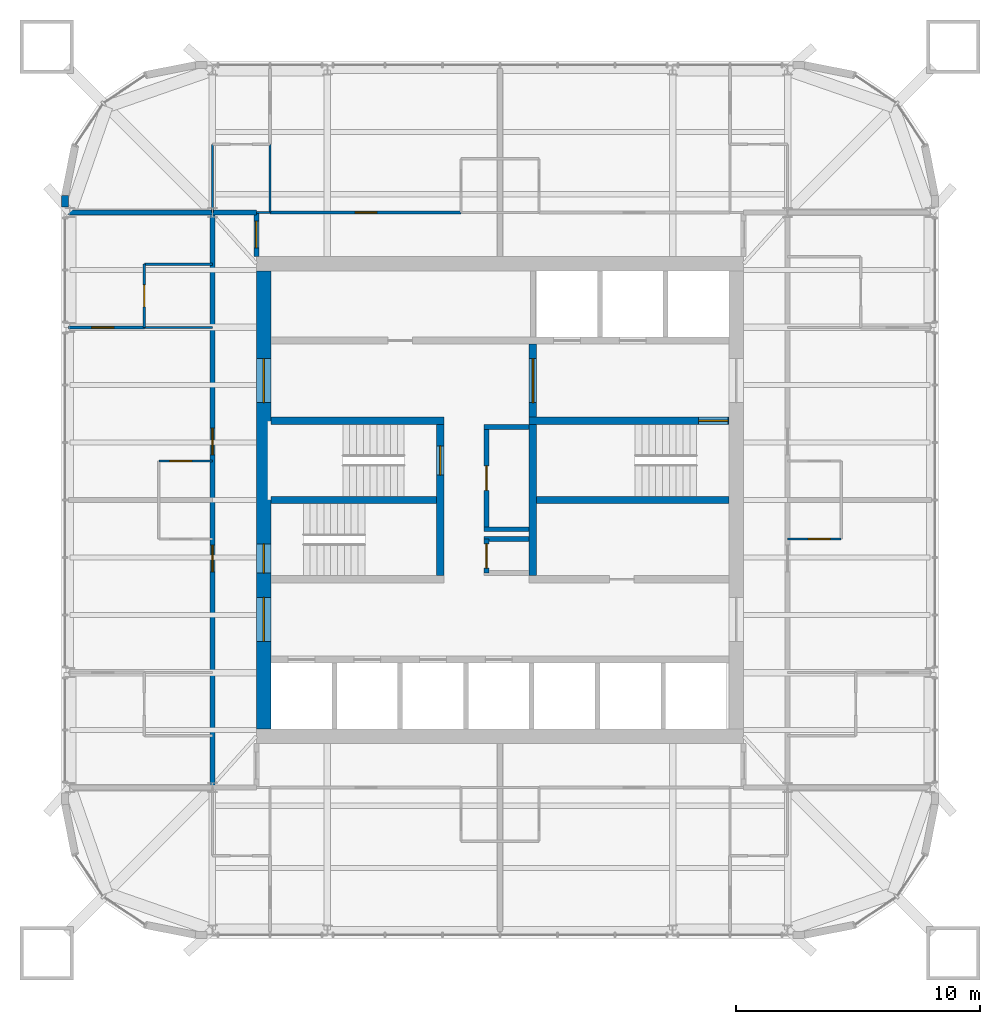
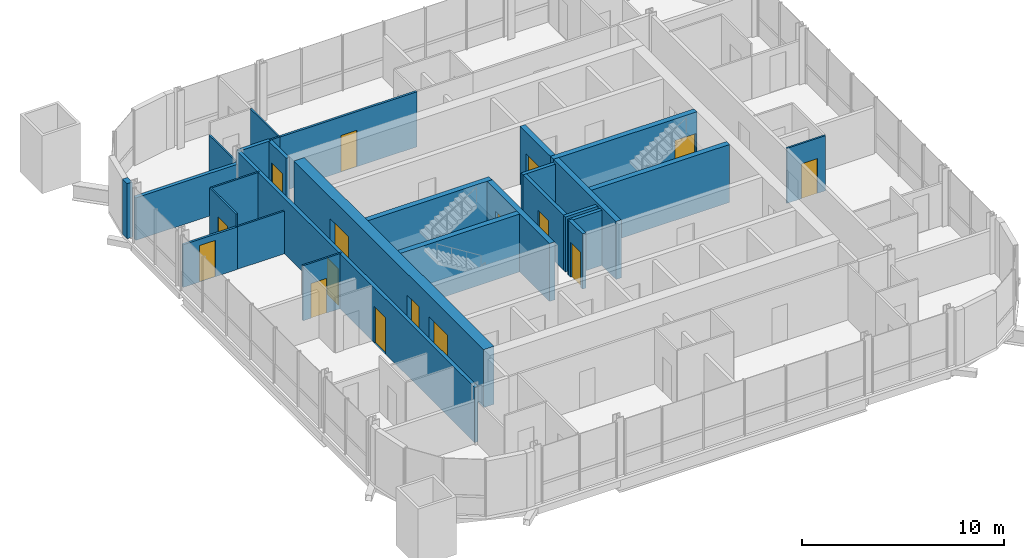
# One storey, part 9 of 12: 27 walls, 16 doors, 16 openings.
"""IFC4 building model written with IfcOpenShell, lengths in metres."""

from ifc_helpers import new_model, si_unit, direction, frame, frame_2d, origin, place, context, subcontext, project, spatial, rectangle, extrude, material, layer, layer_set, type_object, element, fill, save


model = new_model("IFC4")

# Units and contexts
model_context = context("Model", 3, precision=1e-05, world=origin(), true_north=direction((0.0, 1.0)))
body_context = subcontext(model_context, "Body", "Model", "MODEL_VIEW")
ifc_project = project(units=[si_unit("LENGTHUNIT", "METRE"), si_unit("AREAUNIT", "SQUARE_METRE"), si_unit("VOLUMEUNIT", "CUBIC_METRE"), si_unit("PLANEANGLEUNIT", "RADIAN"), si_unit("MASSUNIT", "GRAM", prefix="KILO")], contexts=[model_context])

# Site, building, storey
site_placement = place(None, origin())
site = spatial("IfcSite", under=ifc_project, at=site_placement, CompositionType="ELEMENT")
building_placement = place(site_placement, origin())
building = spatial("IfcBuilding", under=site, at=building_placement, Name="Turquesa Mirador Hotel Tower", CompositionType="ELEMENT")
storey_placement = place(building_placement, frame((0.0, 0.0, 233.699951171875)))
storey = spatial("IfcBuildingStorey", under=building, at=storey_placement, Name="L63", CompositionType="ELEMENT", Elevation=233.699951171875)

# Wall, opening, door
ifc_material_1 = material(Name="Gypsum board on steel studs", Category="steel")
ifc_layer_1 = layer(ifc_material_1, 0.10009765625)
ifc_layer_set_1 = layer_set([ifc_layer_1], Name="BATHROOM WALL 100")
wall_type_1 = type_object("IfcWallType", Name="BATHROOM WALL 100", PredefinedType="PARTITIONING", material=ifc_layer_set_1)
wall_1_placement = place(storey_placement, frame((66.800048828125, 43.39990234375, 0.0), z_axis=(0.0, 0.0, 1.0), x_axis=(1.0, 0.0, 0.0)))
wall_1 = element("IfcWall", 1, at=wall_1_placement, inside=storey, type_object=wall_type_1, Name="Partition L63 002", PredefinedType="PARTITIONING", context=body_context, shape_type="SweptSolid", body=[
    extrude(rectangle(XDim=2.199951171875, YDim=0.10009765625, at=frame_2d((1.10009765625, 0.0))), origin(), (0.0, 0.0, 1.0), 3.330078125),
])
opening_1_placement = place(wall_1_placement, frame((0.85009765625, 0.0, 0.0)))
opening_1 = element("IfcOpeningElement", 2, at=opening_1_placement, cuts=wall_1, Name="Opening D06", PredefinedType="OPENING", context=body_context, shape_type="SweptSolid", body=[
    extrude(rectangle(XDim=0.89990234375, YDim=2.10009765625, at=frame_2d((0.449951171875, 1.050048828125))), frame((0.0, 0.06005859375, 0.0), z_axis=(0.0, -1.0, 0.0), x_axis=(1.0, 0.0, 0.0)), (0.0, 0.0, 1.0), 0.1201171875),
])
ifc_material_2 = material(Name="Laminate door", Category="wood")
door_type_1 = type_object("IfcDoorType", Name="DOOR 900X2100 WC", OperationType="SINGLE_SWING_LEFT", PredefinedType="DOOR", material=ifc_material_2)
door_1_placement = place(opening_1_placement, origin())
door_1 = element("IfcDoor", 3, at=door_1_placement, inside=storey, type_object=door_type_1, Name="Door 6305W", OperationType="SINGLE_SWING_LEFT", OverallHeight=2.10009765625, OverallWidth=0.89990234375, PredefinedType="DOOR", context=body_context, shape_type="SweptSolid", body=[
    extrude(rectangle(XDim=0.89990234375, YDim=2.10009765625, at=frame_2d((0.449951171875, 1.050048828125))), frame((0.0, 0.02490234375, 0.0), z_axis=(0.0, -1.0, 0.0), x_axis=(1.0, 0.0, 0.0)), (0.0, 0.0, 1.0), 0.050048828125),
])
fill(opening_1, door_1)

wall_2_placement = place(storey_placement, frame((41.0, 46.60009765625, 0.0), z_axis=(0.0, 0.0, 1.0), x_axis=(1.0, 0.0, 0.0)))
wall_2 = element("IfcWall", 4, at=wall_2_placement, inside=storey, type_object=wall_type_1, Name="Partition L63 023", PredefinedType="PARTITIONING", context=body_context, shape_type="SweptSolid", body=[
    extrude(rectangle(XDim=2.199951171875, YDim=0.10009765625, at=frame_2d((1.10009765625, 0.0))), origin(), (0.0, 0.0, 1.0), 3.330078125),
])
opening_2_placement = place(wall_2_placement, frame((0.449951171875, 0.0, 0.0)))
opening_2 = element("IfcOpeningElement", 5, at=opening_2_placement, cuts=wall_2, Name="Opening D06", PredefinedType="OPENING", context=body_context, shape_type="SweptSolid", body=[
    extrude(rectangle(XDim=0.89990234375, YDim=2.10009765625, at=frame_2d((0.449951171875, 1.050048828125))), frame((0.0, 0.06005859375, 0.0), z_axis=(0.0, -1.0, 0.0), x_axis=(1.0, 0.0, 0.0)), (0.0, 0.0, 1.0), 0.1201171875),
])
door_2_placement = place(opening_2_placement, origin())
door_2 = element("IfcDoor", 6, at=door_2_placement, inside=storey, type_object=door_type_1, Name="Door 6308W", OperationType="SINGLE_SWING_LEFT", OverallHeight=2.10009765625, OverallWidth=0.89990234375, PredefinedType="DOOR", context=body_context, shape_type="SweptSolid", body=[
    extrude(rectangle(XDim=0.89990234375, YDim=2.10009765625, at=frame_2d((0.449951171875, 1.050048828125))), frame((0.0, 0.02490234375, 0.0), z_axis=(0.0, -1.0, 0.0), x_axis=(1.0, 0.0, 0.0)), (0.0, 0.0, 1.0), 0.050048828125),
])
fill(opening_2, door_2)

# Walls
wall_3_placement = place(storey_placement, frame((45.0, 56.800048828125, 0.0), z_axis=(0.0, 0.0, 1.0), x_axis=(1.0, 0.0, 0.0)))
element("IfcWall", 7, at=wall_3_placement, inside=storey, type_object=wall_type_1, Name="Partition L63 025", PredefinedType="PARTITIONING", context=body_context, shape_type="SweptSolid", body=[
    extrude(rectangle(XDim=0.56005859375, YDim=0.10009765625, at=frame_2d((0.280029296875, 0.0))), origin(), (0.0, 0.0, 1.0), 3.330078125),
])
wall_4_placement = place(storey_placement, frame((40.39990234375, 52.080078125, 0.0), z_axis=(0.0, 0.0, 1.0), x_axis=(1.0, 0.0, 0.0)))
element("IfcWall", 8, at=wall_4_placement, inside=storey, type_object=wall_type_1, Name="Partition L63 037", PredefinedType="PARTITIONING", context=body_context, shape_type="SweptSolid", body=[
    extrude(rectangle(XDim=2.800048828125, YDim=0.10009765625, at=frame_2d((1.39990234375, 0.0))), origin(), (0.0, 0.0, 1.0), 2.5732421875),
])
wall_5_placement = place(storey_placement, frame((40.39990234375, 54.679931640625, 0.0), z_axis=(0.0, 0.0, 1.0), x_axis=(1.0, 0.0, 0.0)))
element("IfcWall", 9, at=wall_5_placement, inside=storey, type_object=wall_type_1, Name="Partition L63 041", PredefinedType="PARTITIONING", context=body_context, shape_type="SweptSolid", body=[
    extrude(rectangle(XDim=2.800048828125, YDim=0.10009765625, at=frame_2d((1.39990234375, 0.0))), origin(), (0.0, 0.0, 1.0), 3.330078125),
])
wall_6_placement = place(storey_placement, frame((43.199951171875, 56.800048828125, 0.0), z_axis=(0.0, 0.0, 1.0), x_axis=(0.0, 1.0, 0.0)))
element("IfcWall", 10, at=wall_6_placement, inside=storey, type_object=wall_type_1, Name="Partition L63 048", PredefinedType="PARTITIONING", context=body_context, shape_type="SweptSolid", body=[
    extrude(rectangle(XDim=2.800048828125, YDim=0.10009765625, at=frame_2d((1.39990234375, 0.0))), origin(), (0.0, 0.0, 1.0), 2.5732421875),
])

# Wall, opening, door
wall_7_placement = place(storey_placement, frame((40.39990234375, 52.080078125, 0.0), z_axis=(0.0, 0.0, 1.0), x_axis=(0.0, 1.0, 0.0)))
wall_7 = element("IfcWall", 11, at=wall_7_placement, inside=storey, type_object=wall_type_1, Name="Partition L63 052", PredefinedType="PARTITIONING", context=body_context, shape_type="SweptSolid", body=[
    extrude(rectangle(XDim=2.599853515625, YDim=0.10009765625, at=frame_2d((1.2998046875, 0.0))), origin(), (0.0, 0.0, 1.0), 3.330078125),
])
opening_3_placement = place(wall_7_placement, frame((0.85009765625, 0.0, 0.0)))
opening_3 = element("IfcOpeningElement", 12, at=opening_3_placement, cuts=wall_7, Name="Opening D02", PredefinedType="OPENING", context=body_context, shape_type="SweptSolid", body=[
    extrude(rectangle(XDim=0.89990234375, YDim=2.10009765625, at=frame_2d((0.449951171875, 1.050048828125))), frame((0.0, 0.06005859375, 0.0), z_axis=(0.0, -1.0, 0.0), x_axis=(1.0, 0.0, 0.0)), (0.0, 0.0, 1.0), 0.1201171875),
])
ifc_material_3 = material(Name="Timber veneered door", Category="wood")
door_type_2 = type_object("IfcDoorType", Name="DOOR 900X2100 EN-SUITE", OperationType="SINGLE_SWING_RIGHT", PredefinedType="DOOR", material=ifc_material_3)
door_3_placement = place(opening_3_placement, origin())
door_3 = element("IfcDoor", 13, at=door_3_placement, inside=storey, type_object=door_type_2, Name="Door 6308B", OperationType="SINGLE_SWING_RIGHT", OverallHeight=2.10009765625, OverallWidth=0.89990234375, PredefinedType="DOOR", context=body_context, shape_type="SweptSolid", body=[
    extrude(rectangle(XDim=0.89990234375, YDim=2.10009765625, at=frame_2d((0.449951171875, 1.050048828125))), frame((0.0, 0.02490234375, 0.0), z_axis=(0.0, -1.0, 0.0), x_axis=(1.0, 0.0, 0.0)), (0.0, 0.0, 1.0), 0.050048828125),
])
fill(opening_3, door_3)

# Walls
wall_8_placement = place(storey_placement, frame((45.56005859375, 56.800048828125, 0.0), z_axis=(0.0, 0.0, 1.0), x_axis=(0.0, 1.0, 0.0)))
element("IfcWall", 14, at=wall_8_placement, inside=storey, type_object=wall_type_1, Name="Partition L63 054", PredefinedType="PARTITIONING", context=body_context, shape_type="SweptSolid", body=[
    extrude(rectangle(XDim=2.800048828125, YDim=0.10009765625, at=frame_2d((1.39990234375, 0.0))), origin(), (0.0, 0.0, 1.0), 3.330078125),
])
ifc_material_4 = material(Name="Concrete C50/60", Category="concrete")
ifc_layer_2 = layer(ifc_material_4, 0.300048828125)
ifc_layer_set_2 = layer_set([ifc_layer_2], Name="CORE INNER WALL 300")
wall_type_2 = type_object("IfcWallType", Name="CORE INNER WALL 300", PredefinedType="SHEAR", material=ifc_layer_set_2)
wall_9_placement = place(storey_placement, frame((45.60009765625, 48.25, 0.0), z_axis=(0.0, 0.0, 1.0), x_axis=(1.0, 0.0, 0.0)))
element("IfcWall", 15, at=wall_9_placement, inside=storey, type_object=wall_type_2, Name="Core wall MN-W", PredefinedType="SHEAR", context=body_context, shape_type="SweptSolid", body=[
    extrude(rectangle(XDim=7.099853515625, YDim=0.300048828125, at=frame_2d((3.5498046875, 0.0))), origin(), (0.0, 0.0, 1.0), 3.5),
])

# Wall, opening, door
wall_10_placement = place(storey_placement, frame((56.199951171875, 48.25, 0.0), z_axis=(0.0, 0.0, 1.0), x_axis=(1.0, 0.0, 0.0)))
wall_10 = element("IfcWall", 16, at=wall_10_placement, inside=storey, type_object=wall_type_2, Name="Core wall MN-E", PredefinedType="SHEAR", context=body_context, shape_type="SweptSolid", body=[
    extrude(rectangle(XDim=8.199951171875, YDim=0.300048828125, at=frame_2d((4.10009765625, 0.0))), origin(), (0.0, 0.0, 1.0), 3.5),
])
opening_4_placement = place(wall_10_placement, frame((6.949951171875, 0.0, 0.0)))
opening_4 = element("IfcOpeningElement", 17, at=opening_4_placement, cuts=wall_10, Name="Opening D03", PredefinedType="OPENING", context=body_context, shape_type="SweptSolid", body=[
    extrude(rectangle(XDim=1.199951171875, YDim=2.199951171875, at=frame_2d((0.60009765625, 1.10009765625))), frame((0.0, 0.159912109375, 0.0), z_axis=(0.0, -1.0, 0.0), x_axis=(1.0, 0.0, 0.0)), (0.0, 0.0, 1.0), 0.320068359375),
])
ifc_material_5 = material(Name="Steel fire door", Category="steel")
door_type_3 = type_object("IfcDoorType", Name="DOOR 1200X2200 STAIR", OperationType="SINGLE_SWING_LEFT", PredefinedType="DOOR", material=ifc_material_5)
door_4_placement = place(opening_4_placement, origin())
door_4 = element("IfcDoor", 18, at=door_4_placement, inside=storey, type_object=door_type_3, Name="Stair ST3 door", OperationType="SINGLE_SWING_LEFT", OverallHeight=2.199951171875, OverallWidth=1.199951171875, PredefinedType="DOOR", context=body_context, shape_type="SweptSolid", body=[
    extrude(rectangle(XDim=1.199951171875, YDim=2.199951171875, at=frame_2d((0.60009765625, 1.10009765625))), frame((0.0, 0.02490234375, 0.0), z_axis=(0.0, -1.0, 0.0), x_axis=(1.0, 0.0, 0.0)), (0.0, 0.0, 1.0), 0.050048828125),
])
fill(opening_4, door_4)

wall_11_placement = place(storey_placement, frame((52.550048828125, 41.89990234375, 0.0), z_axis=(0.0, 0.0, 1.0), x_axis=(0.0, 1.0, 0.0)))
wall_11 = element("IfcWall", 19, at=wall_11_placement, inside=storey, type_object=wall_type_2, Name="Core wall PW", PredefinedType="SHEAR", context=body_context, shape_type="SweptSolid", body=[
    extrude(rectangle(XDim=6.2001953125, YDim=0.300048828125, at=frame_2d((3.10009765625, 0.0))), origin(), (0.0, 0.0, 1.0), 3.5),
])
opening_5_placement = place(wall_11_placement, frame((4.125, 0.0, 0.0)))
opening_5 = element("IfcOpeningElement", 20, at=opening_5_placement, cuts=wall_11, Name="Opening D03", PredefinedType="OPENING", context=body_context, shape_type="SweptSolid", body=[
    extrude(rectangle(XDim=1.199951171875, YDim=2.199951171875, at=frame_2d((0.60009765625, 1.10009765625))), frame((0.0, 0.159912109375, 0.0), z_axis=(0.0, -1.0, 0.0), x_axis=(1.0, 0.0, 0.0)), (0.0, 0.0, 1.0), 0.320068359375),
])
door_5_placement = place(opening_5_placement, origin())
door_5 = element("IfcDoor", 21, at=door_5_placement, inside=storey, type_object=door_type_3, Name="Stair ST1 door", OperationType="SINGLE_SWING_LEFT", OverallHeight=2.199951171875, OverallWidth=1.199951171875, PredefinedType="DOOR", context=body_context, shape_type="SweptSolid", body=[
    extrude(rectangle(XDim=1.199951171875, YDim=2.199951171875, at=frame_2d((0.60009765625, 1.10009765625))), frame((0.0, 0.02490234375, 0.0), z_axis=(0.0, -1.0, 0.0), x_axis=(1.0, 0.0, 0.0)), (0.0, 0.0, 1.0), 0.050048828125),
])
fill(opening_5, door_5)

wall_12_placement = place(storey_placement, frame((56.35009765625, 41.89990234375, 0.0), z_axis=(0.0, 0.0, 1.0), x_axis=(0.0, 1.0, 0.0)))
wall_12 = element("IfcWall", 22, at=wall_12_placement, inside=storey, type_object=wall_type_2, Name="Core wall PE", PredefinedType="SHEAR", context=body_context, shape_type="SweptSolid", body=[
    extrude(rectangle(XDim=9.5, YDim=0.300048828125, at=frame_2d((4.75, 0.0))), origin(), (0.0, 0.0, 1.0), 3.5),
])
opening_6_placement = place(wall_12_placement, frame((7.10009765625, 0.0, 0.0)))
opening_6 = element("IfcOpeningElement", 23, at=opening_6_placement, cuts=wall_12, Name="Opening D04", PredefinedType="OPENING", context=body_context, shape_type="SweptSolid", body=[
    extrude(rectangle(XDim=1.800048828125, YDim=2.199951171875, at=frame_2d((0.89990234375, 1.10009765625))), frame((0.0, 0.159912109375, 0.0), z_axis=(0.0, -1.0, 0.0), x_axis=(1.0, 0.0, 0.0)), (0.0, 0.0, 1.0), 0.320068359375),
])
ifc_material_6 = material(Name="Steel fire door pair", Category="steel")
door_type_4 = type_object("IfcDoorType", Name="DOOR 1800X2200 PAIR", OperationType="DOUBLE_DOOR_SINGLE_SWING", PredefinedType="DOOR", material=ifc_material_6)
door_6_placement = place(opening_6_placement, origin())
door_6 = element("IfcDoor", 24, at=door_6_placement, inside=storey, type_object=door_type_4, Name="Firefighting lobby inner door", OperationType="DOUBLE_DOOR_SINGLE_SWING", OverallHeight=2.199951171875, OverallWidth=1.800048828125, PredefinedType="DOOR", context=body_context, shape_type="SweptSolid", body=[
    extrude(rectangle(XDim=1.800048828125, YDim=2.199951171875, at=frame_2d((0.89990234375, 1.10009765625))), frame((0.0, 0.02490234375, 0.0), z_axis=(0.0, -1.0, 0.0), x_axis=(1.0, 0.0, 0.0)), (0.0, 0.0, 1.0), 0.050048828125),
])
fill(opening_6, door_6)

# Walls
wall_13_placement = place(storey_placement, frame((45.60009765625, 45.0, 0.0), z_axis=(0.0, 0.0, 1.0), x_axis=(1.0, 0.0, 0.0)))
element("IfcWall", 25, at=wall_13_placement, inside=storey, type_object=wall_type_2, Name="Core wall M0-W", PredefinedType="SHEAR", context=body_context, shape_type="SweptSolid", body=[
    extrude(rectangle(XDim=6.7998046875, YDim=0.300048828125, at=frame_2d((3.39990234375, 0.0))), origin(), (0.0, 0.0, 1.0), 3.5),
])
wall_14_placement = place(storey_placement, frame((56.5, 45.0, 0.0), z_axis=(0.0, 0.0, 1.0), x_axis=(1.0, 0.0, 0.0)))
element("IfcWall", 26, at=wall_14_placement, inside=storey, type_object=wall_type_2, Name="Core wall M0-E", PredefinedType="SHEAR", context=body_context, shape_type="SweptSolid", body=[
    extrude(rectangle(XDim=7.89990234375, YDim=0.300048828125, at=frame_2d((3.949951171875, 0.0))), origin(), (0.0, 0.0, 1.0), 3.5),
])

# Wall, openings, doors
ifc_material_7 = material(Name="Concrete C50/60", Category="concrete")
ifc_layer_3 = layer(ifc_material_7, 0.60009765625)
ifc_layer_set_3 = layer_set([ifc_layer_3], Name="CORE WALL 600")
wall_type_3 = type_object("IfcWallType", Name="CORE WALL 600", PredefinedType="SHEAR", material=ifc_layer_set_3)
wall_15_placement = place(storey_placement, frame((45.300048828125, 35.60009765625, 0.0), z_axis=(0.0, 0.0, 1.0), x_axis=(0.0, 1.0, 0.0)))
wall_15 = element("IfcWall", 27, at=wall_15_placement, inside=storey, type_object=wall_type_3, Name="Core wall W", PredefinedType="SHEAR", context=body_context, shape_type="SweptSolid", body=[
    extrude(rectangle(XDim=18.7998046875, YDim=0.60009765625, at=frame_2d((9.39990234375, 0.0))), origin(), (0.0, 0.0, 1.0), 3.5),
])
opening_7_placement = place(wall_15_placement, frame((13.39990234375, 0.0, 0.0)))
opening_7 = element("IfcOpeningElement", 28, at=opening_7_placement, cuts=wall_15, Name="Opening D04", PredefinedType="OPENING", context=body_context, shape_type="SweptSolid", body=[
    extrude(rectangle(XDim=1.800048828125, YDim=2.199951171875, at=frame_2d((0.89990234375, 1.10009765625))), frame((0.0, 0.31005859375, 0.0), z_axis=(0.0, -1.0, 0.0), x_axis=(1.0, 0.0, 0.0)), (0.0, 0.0, 1.0), 0.6201171875),
])
opening_8_placement = place(wall_15_placement, frame((3.60009765625, 0.0, 0.0)))
opening_8 = element("IfcOpeningElement", 29, at=opening_8_placement, cuts=wall_15, Name="Opening D04", PredefinedType="OPENING", context=body_context, shape_type="SweptSolid", body=[
    extrude(rectangle(XDim=1.800048828125, YDim=2.199951171875, at=frame_2d((0.89990234375, 1.10009765625))), frame((0.0, 0.31005859375, 0.0), z_axis=(0.0, -1.0, 0.0), x_axis=(1.0, 0.0, 0.0)), (0.0, 0.0, 1.0), 0.6201171875),
])
opening_9_placement = place(wall_15_placement, frame((6.39990234375, 0.0, 0.0)))
opening_9 = element("IfcOpeningElement", 30, at=opening_9_placement, cuts=wall_15, Name="Opening D03", PredefinedType="OPENING", context=body_context, shape_type="SweptSolid", body=[
    extrude(rectangle(XDim=1.199951171875, YDim=2.199951171875, at=frame_2d((0.60009765625, 1.10009765625))), frame((0.0, 0.31005859375, 0.0), z_axis=(0.0, -1.0, 0.0), x_axis=(1.0, 0.0, 0.0)), (0.0, 0.0, 1.0), 0.6201171875),
])
door_7_placement = place(opening_9_placement, origin())
door_7 = element("IfcDoor", 31, at=door_7_placement, inside=storey, type_object=door_type_3, Name="Stair ST2 door", OperationType="SINGLE_SWING_LEFT", OverallHeight=2.199951171875, OverallWidth=1.199951171875, PredefinedType="DOOR", context=body_context, shape_type="SweptSolid", body=[
    extrude(rectangle(XDim=1.199951171875, YDim=2.199951171875, at=frame_2d((0.60009765625, 1.10009765625))), frame((0.0, 0.02490234375, 0.0), z_axis=(0.0, -1.0, 0.0), x_axis=(1.0, 0.0, 0.0)), (0.0, 0.0, 1.0), 0.050048828125),
])
fill(opening_9, door_7)
door_8_placement = place(opening_7_placement, origin())
door_8 = element("IfcDoor", 32, at=door_8_placement, inside=storey, type_object=door_type_4, Name="North lift lobby door", OperationType="DOUBLE_DOOR_SINGLE_SWING", OverallHeight=2.199951171875, OverallWidth=1.800048828125, PredefinedType="DOOR", context=body_context, shape_type="SweptSolid", body=[
    extrude(rectangle(XDim=1.800048828125, YDim=2.199951171875, at=frame_2d((0.89990234375, 1.10009765625))), frame((0.0, 0.02490234375, 0.0), z_axis=(0.0, -1.0, 0.0), x_axis=(1.0, 0.0, 0.0)), (0.0, 0.0, 1.0), 0.050048828125),
])
fill(opening_7, door_8)
door_9_placement = place(opening_8_placement, origin())
door_9 = element("IfcDoor", 33, at=door_9_placement, inside=storey, type_object=door_type_4, Name="South lift lobby door", OperationType="DOUBLE_DOOR_SINGLE_SWING", OverallHeight=2.199951171875, OverallWidth=1.800048828125, PredefinedType="DOOR", context=body_context, shape_type="SweptSolid", body=[
    extrude(rectangle(XDim=1.800048828125, YDim=2.199951171875, at=frame_2d((0.89990234375, 1.10009765625))), frame((0.0, 0.02490234375, 0.0), z_axis=(0.0, -1.0, 0.0), x_axis=(1.0, 0.0, 0.0)), (0.0, 0.0, 1.0), 0.050048828125),
])
fill(opening_8, door_9)

# Wall
ifc_material_8 = material(Name="Fire-rated gypsum board on steel studs", Category="steel")
ifc_layer_4 = layer(ifc_material_8, 0.199951171875)
ifc_layer_set_4 = layer_set([ifc_layer_4], Name="CORRIDOR WALL 200")
wall_type_4 = type_object("IfcWallType", Name="CORRIDOR WALL 200", PredefinedType="PARTITIONING", material=ifc_layer_set_4)
wall_16_placement = place(storey_placement, frame((43.199951171875, 56.800048828125, 0.0), z_axis=(0.0, 0.0, 1.0), x_axis=(1.0, 0.0, 0.0)))
element("IfcWall", 34, at=wall_16_placement, inside=storey, type_object=wall_type_4, Name="Partition L63 028", PredefinedType="PARTITIONING", context=body_context, shape_type="SweptSolid", body=[
    extrude(rectangle(XDim=1.800048828125, YDim=0.199951171875, at=frame_2d((0.89990234375, 0.0))), origin(), (0.0, 0.0, 1.0), 3.330078125),
])

# Wall, opening, door
wall_17_placement = place(storey_placement, frame((45.0, 55.0, 0.0), z_axis=(0.0, 0.0, 1.0), x_axis=(0.0, 1.0, 0.0)))
wall_17 = element("IfcWall", 35, at=wall_17_placement, inside=storey, type_object=wall_type_4, Name="Partition L63 046", PredefinedType="PARTITIONING", context=body_context, shape_type="SweptSolid", body=[
    extrude(rectangle(XDim=1.800048828125, YDim=0.199951171875, at=frame_2d((0.89990234375, 0.0))), origin(), (0.0, 0.0, 1.0), 3.330078125),
])
opening_10_placement = place(wall_17_placement, frame((0.35009765625, 0.0, 0.0)))
opening_10 = element("IfcOpeningElement", 36, at=opening_10_placement, cuts=wall_17, Name="Opening D15", PredefinedType="OPENING", context=body_context, shape_type="SweptSolid", body=[
    extrude(rectangle(XDim=1.10009765625, YDim=2.199951171875, at=frame_2d((0.550048828125, 1.10009765625))), frame((0.0, 0.10986328125, 0.0), z_axis=(0.0, -1.0, 0.0), x_axis=(1.0, 0.0, 0.0)), (0.0, 0.0, 1.0), 0.219970703125),
])
ifc_material_9 = material(Name="Timber veneered fire door", Category="wood")
door_type_5 = type_object("IfcDoorType", Name="DOOR 1100X2200 SUITE ENTRY", OperationType="SINGLE_SWING_LEFT", PredefinedType="DOOR", material=ifc_material_9)
door_10_placement = place(opening_10_placement, origin())
door_10 = element("IfcDoor", 37, at=door_10_placement, inside=storey, type_object=door_type_5, Name="Door 6301G", OperationType="SINGLE_SWING_LEFT", OverallHeight=2.199951171875, OverallWidth=1.10009765625, PredefinedType="DOOR", context=body_context, shape_type="SweptSolid", body=[
    extrude(rectangle(XDim=1.10009765625, YDim=2.199951171875, at=frame_2d((0.550048828125, 1.10009765625))), frame((0.0, 0.02490234375, 0.0), z_axis=(0.0, -1.0, 0.0), x_axis=(1.0, 0.0, 0.0)), (0.0, 0.0, 1.0), 0.050048828125),
])
fill(opening_10, door_10)

# Wall, openings, doors
wall_18_placement = place(storey_placement, frame((43.199951171875, 33.199951171875, 0.0), z_axis=(0.0, 0.0, 1.0), x_axis=(0.0, 1.0, 0.0)))
wall_18 = element("IfcWall", 38, at=wall_18_placement, inside=storey, type_object=wall_type_4, Name="Partition L63 049", PredefinedType="PARTITIONING", context=body_context, shape_type="SweptSolid", body=[
    extrude(rectangle(XDim=23.60009765625, YDim=0.199951171875, at=frame_2d((11.800048828125, 0.0))), origin(), (0.0, 0.0, 1.0), 3.330078125),
])
opening_11_placement = place(wall_18_placement, frame((8.85009765625, 0.0, 0.0)))
opening_11 = element("IfcOpeningElement", 39, at=opening_11_placement, cuts=wall_18, Name="Opening D15", PredefinedType="OPENING", context=body_context, shape_type="SweptSolid", body=[
    extrude(rectangle(XDim=1.10009765625, YDim=2.199951171875, at=frame_2d((0.550048828125, 1.10009765625))), frame((0.0, 0.10986328125, 0.0), z_axis=(0.0, -1.0, 0.0), x_axis=(1.0, 0.0, 0.0)), (0.0, 0.0, 1.0), 0.219970703125),
])
opening_12_placement = place(wall_18_placement, frame((13.64990234375, 0.0, 0.0)))
opening_12 = element("IfcOpeningElement", 40, at=opening_12_placement, cuts=wall_18, Name="Opening D15", PredefinedType="OPENING", context=body_context, shape_type="SweptSolid", body=[
    extrude(rectangle(XDim=1.10009765625, YDim=2.199951171875, at=frame_2d((0.550048828125, 1.10009765625))), frame((0.0, 0.10986328125, 0.0), z_axis=(0.0, -1.0, 0.0), x_axis=(1.0, 0.0, 0.0)), (0.0, 0.0, 1.0), 0.219970703125),
])
door_11_placement = place(opening_11_placement, origin())
door_11 = element("IfcDoor", 41, at=door_11_placement, inside=storey, type_object=door_type_5, Name="Door 6307", OperationType="SINGLE_SWING_LEFT", OverallHeight=2.199951171875, OverallWidth=1.10009765625, PredefinedType="DOOR", context=body_context, shape_type="SweptSolid", body=[
    extrude(rectangle(XDim=1.10009765625, YDim=2.199951171875, at=frame_2d((0.550048828125, 1.10009765625))), frame((0.0, 0.02490234375, 0.0), z_axis=(0.0, -1.0, 0.0), x_axis=(1.0, 0.0, 0.0)), (0.0, 0.0, 1.0), 0.050048828125),
])
fill(opening_11, door_11)
door_12_placement = place(opening_12_placement, origin())
door_12 = element("IfcDoor", 42, at=door_12_placement, inside=storey, type_object=door_type_5, Name="Door 6308", OperationType="SINGLE_SWING_LEFT", OverallHeight=2.199951171875, OverallWidth=1.10009765625, PredefinedType="DOOR", context=body_context, shape_type="SweptSolid", body=[
    extrude(rectangle(XDim=1.10009765625, YDim=2.199951171875, at=frame_2d((0.550048828125, 1.10009765625))), frame((0.0, 0.02490234375, 0.0), z_axis=(0.0, -1.0, 0.0), x_axis=(1.0, 0.0, 0.0)), (0.0, 0.0, 1.0), 0.050048828125),
])
fill(opening_12, door_12)

# Wall
ifc_material_10 = material(Name="Limestone cladding on concrete block", Category="masonry")
ifc_layer_5 = layer(ifc_material_10, 0.300048828125)
ifc_layer_set_5 = layer_set([ifc_layer_5], Name="FACADE WALL 300 STONE PIER")
wall_type_5 = type_object("IfcWallType", Name="FACADE WALL 300 STONE PIER", PredefinedType="SOLIDWALL", material=ifc_layer_set_5)
wall_19_placement = place(storey_placement, frame((37.14990234375, 57.5, 0.0), z_axis=(0.0, 0.0, 1.0), x_axis=(0.0, -1.0, 0.0)))
element("IfcWall", 43, at=wall_19_placement, inside=storey, type_object=wall_type_5, Name="Facade wall L63 bay CWS-L63-05 00", PredefinedType="SOLIDWALL", context=body_context, shape_type="SweptSolid", body=[
    extrude(rectangle(XDim=0.466064453125, YDim=0.300048828125, at=frame_2d((0.23291015625, 0.0))), origin(), (0.0, 0.0, 1.0), 3.330078125),
])

# Wall, opening, door
ifc_material_11 = material(Name="Fire-rated gypsum board on steel studs", Category="steel")
ifc_layer_6 = layer(ifc_material_11, 0.199951171875)
ifc_layer_set_6 = layer_set([ifc_layer_6], Name="FIRE PARTITION 200")
wall_type_6 = type_object("IfcWallType", Name="FIRE PARTITION 200", PredefinedType="PARTITIONING", material=ifc_layer_set_6)
wall_20_placement = place(storey_placement, frame((54.449951171875, 42.0, 0.0), z_axis=(0.0, 0.0, 1.0), x_axis=(0.0, 1.0, 0.0)))
wall_20 = element("IfcWall", 44, at=wall_20_placement, inside=storey, type_object=wall_type_6, Name="Partition L63 IT W", PredefinedType="PARTITIONING", context=body_context, shape_type="SweptSolid", body=[
    extrude(rectangle(XDim=1.39990234375, YDim=0.199951171875, at=frame_2d((0.699951171875, 0.0))), origin(), (0.0, 0.0, 1.0), 3.330078125),
])
opening_13_placement = place(wall_20_placement, frame((0.199951171875, 0.0, 0.0)))
opening_13 = element("IfcOpeningElement", 45, at=opening_13_placement, cuts=wall_20, Name="Opening D05", PredefinedType="OPENING", context=body_context, shape_type="SweptSolid", body=[
    extrude(rectangle(XDim=1.0, YDim=2.10009765625, at=frame_2d((0.5, 1.050048828125))), frame((0.0, 0.10986328125, 0.0), z_axis=(0.0, -1.0, 0.0), x_axis=(1.0, 0.0, 0.0)), (0.0, 0.0, 1.0), 0.219970703125),
])
ifc_material_12 = material(Name="Steel fire door", Category="steel")
door_type_6 = type_object("IfcDoorType", Name="DOOR 1000X2100 SERVICE", OperationType="SINGLE_SWING_LEFT", PredefinedType="DOOR", material=ifc_material_12)
door_13_placement = place(opening_13_placement, origin())
door_13 = element("IfcDoor", 46, at=door_13_placement, inside=storey, type_object=door_type_6, Name="IT and comms room door", OperationType="SINGLE_SWING_LEFT", OverallHeight=2.10009765625, OverallWidth=1.0, PredefinedType="DOOR", context=body_context, shape_type="SweptSolid", body=[
    extrude(rectangle(XDim=1.0, YDim=2.10009765625, at=frame_2d((0.5, 1.050048828125))), frame((0.0, 0.02490234375, 0.0), z_axis=(0.0, -1.0, 0.0), x_axis=(1.0, 0.0, 0.0)), (0.0, 0.0, 1.0), 0.050048828125),
])
fill(opening_13, door_13)

# Wall
wall_21_placement = place(storey_placement, frame((54.35009765625, 43.39990234375, 0.0), z_axis=(0.0, 0.0, 1.0), x_axis=(1.0, 0.0, 0.0)))
element("IfcWall", 47, at=wall_21_placement, inside=storey, type_object=wall_type_6, Name="Partition L63 IT N", PredefinedType="PARTITIONING", context=body_context, shape_type="SweptSolid", body=[
    extrude(rectangle(XDim=1.849853515625, YDim=0.199951171875, at=frame_2d((0.9248046875, 0.0))), origin(), (0.0, 0.0, 1.0), 3.330078125),
])

# Wall, opening, door
wall_22_placement = place(storey_placement, frame((54.449951171875, 43.800048828125, 0.0), z_axis=(0.0, 0.0, 1.0), x_axis=(0.0, 1.0, 0.0)))
wall_22 = element("IfcWall", 48, at=wall_22_placement, inside=storey, type_object=wall_type_6, Name="Partition L63 BO W", PredefinedType="PARTITIONING", context=body_context, shape_type="SweptSolid", body=[
    extrude(rectangle(XDim=4.199951171875, YDim=0.199951171875, at=frame_2d((2.10009765625, 0.0))), origin(), (0.0, 0.0, 1.0), 3.330078125),
])
opening_14_placement = place(wall_22_placement, frame((1.60009765625, 0.0, 0.0)))
opening_14 = element("IfcOpeningElement", 49, at=opening_14_placement, cuts=wall_22, Name="Opening D05", PredefinedType="OPENING", context=body_context, shape_type="SweptSolid", body=[
    extrude(rectangle(XDim=1.0, YDim=2.10009765625, at=frame_2d((0.5, 1.050048828125))), frame((0.0, 0.10986328125, 0.0), z_axis=(0.0, -1.0, 0.0), x_axis=(1.0, 0.0, 0.0)), (0.0, 0.0, 1.0), 0.219970703125),
])
door_14_placement = place(opening_14_placement, origin())
door_14 = element("IfcDoor", 50, at=door_14_placement, inside=storey, type_object=door_type_6, Name="Butler's pantry door", OperationType="SINGLE_SWING_LEFT", OverallHeight=2.10009765625, OverallWidth=1.0, PredefinedType="DOOR", context=body_context, shape_type="SweptSolid", body=[
    extrude(rectangle(XDim=1.0, YDim=2.10009765625, at=frame_2d((0.5, 1.050048828125))), frame((0.0, 0.02490234375, 0.0), z_axis=(0.0, -1.0, 0.0), x_axis=(1.0, 0.0, 0.0)), (0.0, 0.0, 1.0), 0.050048828125),
])
fill(opening_14, door_14)

# Walls
for number, where, z_axis, x_axis, name in (
    (51, (54.35009765625, 43.800048828125, 0.0), (0.0, 0.0, 1.0), (1.0, 0.0, 0.0), "Partition L63 BO S"),
    (52, (54.35009765625, 48.0, 0.0), (0.0, 0.0, 1.0), (1.0, 0.0, 0.0), "Partition L63 BO N"),
):
    element("IfcWall", number, at=place(storey_placement, frame(where, z_axis=z_axis, x_axis=x_axis)), inside=storey, type_object=wall_type_6, Name=name, PredefinedType="PARTITIONING", context=body_context, shape_type="SweptSolid", body=[
        extrude(rectangle(XDim=1.849853515625, YDim=0.199951171875, at=frame_2d((0.9248046875, 0.0))), origin(), (0.0, 0.0, 1.0), 3.330078125),
    ])
ifc_material_13 = material(Name="Fire-rated gypsum board on steel studs", Category="steel")
ifc_layer_7 = layer(ifc_material_13, 0.199951171875)
ifc_layer_set_7 = layer_set([ifc_layer_7], Name="PARTY WALL 200")
wall_type_7 = type_object("IfcWallType", Name="PARTY WALL 200", PredefinedType="PARTITIONING", material=ifc_layer_set_7)
wall_23_placement = place(storey_placement, frame((37.300048828125, 56.800048828125, 0.0), z_axis=(0.0, 0.0, 1.0), x_axis=(1.0, 0.0, 0.0)))
element("IfcWall", 53, at=wall_23_placement, inside=storey, type_object=wall_type_7, Name="Partition L63 030", PredefinedType="PARTITIONING", context=body_context, shape_type="SweptSolid", body=[
    extrude(rectangle(XDim=5.89990234375, YDim=0.199951171875, at=frame_2d((2.949951171875, 0.0))), origin(), (0.0, 0.0, 1.0), 2.5732421875),
])

# Wall, opening, door
ifc_material_14 = material(Name="Acoustic gypsum board on steel studs", Category="steel")
ifc_layer_8 = layer(ifc_material_14, 0.125)
ifc_layer_set_8 = layer_set([ifc_layer_8], Name="SUITE PARTITION 125")
wall_type_8 = type_object("IfcWallType", Name="SUITE PARTITION 125", PredefinedType="PARTITIONING", material=ifc_layer_set_8)
wall_24_placement = place(storey_placement, frame((45.56005859375, 56.800048828125, 0.0), z_axis=(0.0, 0.0, 1.0), x_axis=(1.0, 0.0, 0.0)))
wall_24 = element("IfcWall", 54, at=wall_24_placement, inside=storey, type_object=wall_type_8, Name="Partition L63 032", PredefinedType="PARTITIONING", context=body_context, shape_type="SweptSolid", body=[
    extrude(rectangle(XDim=7.83984375, YDim=0.125, at=frame_2d((3.919921875, 0.0))), origin(), (0.0, 0.0, 1.0), 3.330078125),
])
opening_15_placement = place(wall_24_placement, frame((3.489990234375, 0.0, 0.0)))
opening_15 = element("IfcOpeningElement", 55, at=opening_15_placement, cuts=wall_24, Name="Opening D17", PredefinedType="OPENING", context=body_context, shape_type="SweptSolid", body=[
    extrude(rectangle(XDim=0.89990234375, YDim=2.199951171875, at=frame_2d((0.449951171875, 1.10009765625))), frame((0.0, 0.072509765625, 0.0), z_axis=(0.0, -1.0, 0.0), x_axis=(1.0, 0.0, 0.0)), (0.0, 0.0, 1.0), 0.14501953125),
])
ifc_material_15 = material(Name="Timber veneered door", Category="wood")
door_type_7 = type_object("IfcDoorType", Name="DOOR 900X2200 SUITE INTERNAL", OperationType="SINGLE_SWING_LEFT", PredefinedType="DOOR", material=ifc_material_15)
door_15_placement = place(opening_15_placement, origin())
door_15 = element("IfcDoor", 56, at=door_15_placement, inside=storey, type_object=door_type_7, Name="Door 6301", OperationType="SINGLE_SWING_LEFT", OverallHeight=2.199951171875, OverallWidth=0.89990234375, PredefinedType="DOOR", context=body_context, shape_type="SweptSolid", body=[
    extrude(rectangle(XDim=0.89990234375, YDim=2.199951171875, at=frame_2d((0.449951171875, 1.10009765625))), frame((0.0, 0.02490234375, 0.0), z_axis=(0.0, -1.0, 0.0), x_axis=(1.0, 0.0, 0.0)), (0.0, 0.0, 1.0), 0.050048828125),
])
fill(opening_15, door_15)

wall_25_placement = place(storey_placement, frame((37.300048828125, 52.080078125, 0.0), z_axis=(0.0, 0.0, 1.0), x_axis=(1.0, 0.0, 0.0)))
wall_25 = element("IfcWall", 57, at=wall_25_placement, inside=storey, type_object=wall_type_8, Name="Partition L63 039", PredefinedType="PARTITIONING", context=body_context, shape_type="SweptSolid", body=[
    extrude(rectangle(XDim=3.099853515625, YDim=0.125, at=frame_2d((1.5498046875, 0.0))), origin(), (0.0, 0.0, 1.0), 2.5732421875),
])
opening_16_placement = place(wall_25_placement, frame((0.949951171875, 0.0, 0.0)))
opening_16 = element("IfcOpeningElement", 58, at=opening_16_placement, cuts=wall_25, Name="Opening D17", PredefinedType="OPENING", context=body_context, shape_type="SweptSolid", body=[
    extrude(rectangle(XDim=0.89990234375, YDim=2.199951171875, at=frame_2d((0.449951171875, 1.10009765625))), frame((0.0, 0.072509765625, 0.0), z_axis=(0.0, -1.0, 0.0), x_axis=(1.0, 0.0, 0.0)), (0.0, 0.0, 1.0), 0.14501953125),
])
door_16_placement = place(opening_16_placement, origin())
door_16 = element("IfcDoor", 59, at=door_16_placement, inside=storey, type_object=door_type_7, Name="Door 6308R", OperationType="SINGLE_SWING_LEFT", OverallHeight=2.199951171875, OverallWidth=0.89990234375, PredefinedType="DOOR", context=body_context, shape_type="SweptSolid", body=[
    extrude(rectangle(XDim=0.89990234375, YDim=2.199951171875, at=frame_2d((0.449951171875, 1.10009765625))), frame((0.0, 0.02490234375, 0.0), z_axis=(0.0, -1.0, 0.0), x_axis=(1.0, 0.0, 0.0)), (0.0, 0.0, 1.0), 0.050048828125),
])
fill(opening_16, door_16)

save(model, "model.ifc")
